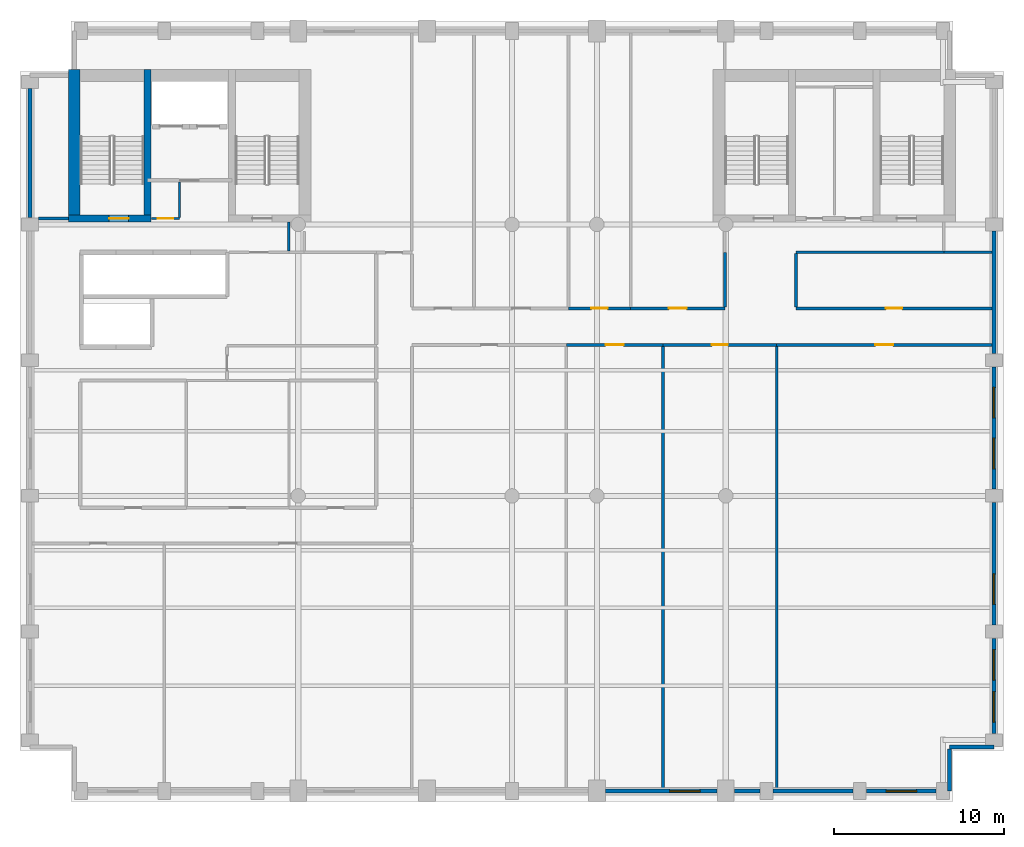
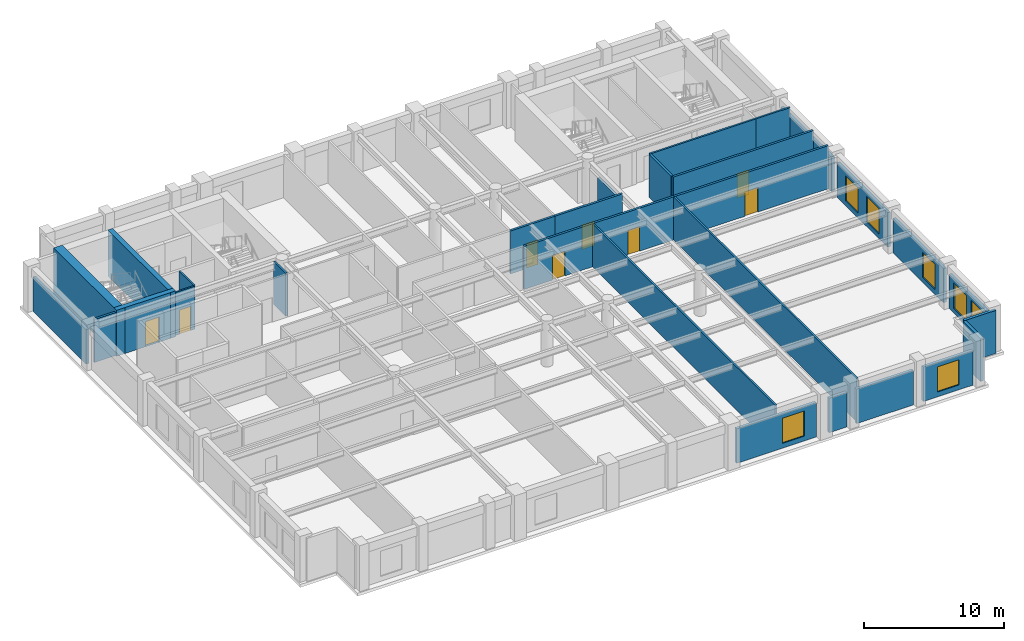
# One storey, part 4 of 8: 30 walls, 8 doors, 7 windows, 15 openings.
"""IFC4 building model written with IfcOpenShell, lengths in metres."""

from ifc_helpers import new_model, si_unit, direction, frame, frame_2d, origin, place, context, subcontext, project, spatial, rectangle, extrude, material, layer, layer_set, type_object, element, fill, save


model = new_model("IFC4")

# Units and contexts
model_context = context("Model", 3, precision=1e-05, world=origin(), true_north=direction((0.0, 1.0)))
body_context = subcontext(model_context, "Body", "Model", "MODEL_VIEW")
ifc_project = project(units=[si_unit("LENGTHUNIT", "METRE"), si_unit("AREAUNIT", "SQUARE_METRE"), si_unit("VOLUMEUNIT", "CUBIC_METRE"), si_unit("PLANEANGLEUNIT", "RADIAN"), si_unit("MASSUNIT", "GRAM", prefix="KILO")], contexts=[model_context])

# Site, building, storey
site_placement = place(None, origin())
site = spatial("IfcSite", under=ifc_project, at=site_placement, CompositionType="ELEMENT")
building_placement = place(site_placement, origin())
building = spatial("IfcBuilding", under=site, at=building_placement, Name="Sulina Concourse Tower", CompositionType="ELEMENT")
storey_placement = place(building_placement, frame((0.0, 0.0, 230.60009765625)))
storey = spatial("IfcBuildingStorey", under=building, at=storey_placement, Name="L56", CompositionType="ELEMENT", Elevation=230.60009765625)

# Wall, opening, window
ifc_material_1 = material(Name="Precast concrete C50/60", Category="concrete")
ifc_layer_1 = layer(ifc_material_1, 0.239990234375)
ifc_layer_set_1 = layer_set([ifc_layer_1], Name="Precast concrete C50/60")
wall_type_1 = type_object("IfcWallType", Name="Crown Precast Masonry-Frame Facade Wall 240mm", PredefinedType="SOLIDWALL", material=ifc_layer_set_1)
wall_1_placement = place(storey_placement, frame((41.080078125, 0.60009765625, 0.0), z_axis=(0.0, 0.0, 1.0), x_axis=(-1.0, 0.0, 0.0)))
wall_1 = element("IfcWall", 1, at=wall_1_placement, inside=storey, type_object=wall_type_1, Name="L56 exterior precast wall S7", PredefinedType="SOLIDWALL", context=body_context, shape_type="SweptSolid", body=[
    extrude(rectangle(XDim=6.56005859375, YDim=0.239990234375, at=frame_2d((3.280029296875, 0.0))), origin(), (0.0, 0.0, 1.0), 3.0),
])
opening_1_placement = place(wall_1_placement, frame((0.98681640625, 0.0, 0.419921875)))
opening_1 = element("IfcOpeningElement", 2, at=opening_1_placement, cuts=wall_1, Name="Opening WN-25", PredefinedType="OPENING", context=body_context, shape_type="SweptSolid", body=[
    extrude(rectangle(XDim=1.800048828125, YDim=2.199951171875, at=frame_2d((0.89990234375, 1.10009765625))), frame((0.0, 0.1298828125, 0.0), z_axis=(0.0, -1.0, 0.0), x_axis=(1.0, 0.0, 0.0)), (0.0, 0.0, 1.0), 0.260009765625),
])
ifc_material_2 = material(Name="Low-E solar double glazing in bronze aluminium", Category="aluminium")
window_type = type_object("IfcWindowType", Name="Punched Masonry-Frame Window 1800x2200", PartitioningType="SINGLE_PANEL", PredefinedType="WINDOW", material=ifc_material_2)
window_1_placement = place(opening_1_placement, origin())
window_1 = element("IfcWindow", 3, at=window_1_placement, inside=storey, type_object=window_type, Name="L56 punched window S7-1", OverallHeight=2.199951171875, OverallWidth=1.800048828125, PartitioningType="SINGLE_PANEL", PredefinedType="WINDOW", context=body_context, shape_type="SweptSolid", body=[
    extrude(rectangle(XDim=1.800048828125, YDim=2.199951171875, at=frame_2d((0.89990234375, 1.10009765625))), frame((0.0, 0.030029296875, 0.0), z_axis=(0.0, -1.0, 0.0), x_axis=(1.0, 0.0, 0.0)), (0.0, 0.0, 1.0), 0.06005859375),
])
fill(opening_1, window_1)

# Walls
wall_2_placement = place(storey_placement, frame((43.60498046875, 0.60009765625, 0.0), z_axis=(0.0, 0.0, 1.0), x_axis=(-1.0, 0.0, 0.0)))
element("IfcWall", 4, at=wall_2_placement, inside=storey, type_object=wall_type_1, Name="L56 exterior precast wall S8", PredefinedType="SOLIDWALL", context=body_context, shape_type="SweptSolid", body=[
    extrude(rectangle(XDim=1.48486328125, YDim=0.239990234375, at=frame_2d((0.742431640625, 0.0))), origin(), (0.0, 0.0, 1.0), 3.0),
])
wall_3_placement = place(storey_placement, frame((49.10498046875, 0.60009765625, 0.0), z_axis=(0.0, 0.0, 1.0), x_axis=(-1.0, 0.0, 0.0)))
element("IfcWall", 5, at=wall_3_placement, inside=storey, type_object=wall_type_1, Name="L56 exterior precast wall S9", PredefinedType="SOLIDWALL", context=body_context, shape_type="SweptSolid", body=[
    extrude(rectangle(XDim=4.7099609375, YDim=0.239990234375, at=frame_2d((2.35498046875, 0.0))), origin(), (0.0, 0.0, 1.0), 3.0),
])

# Wall, opening, window
wall_4_placement = place(storey_placement, frame((54.0048828125, 0.60009765625, 0.0), z_axis=(0.0, 0.0, 1.0), x_axis=(-1.0, 0.0, 0.0)))
wall_4 = element("IfcWall", 6, at=wall_4_placement, inside=storey, type_object=wall_type_1, Name="L56 exterior precast wall S10", PredefinedType="SOLIDWALL", context=body_context, shape_type="SweptSolid", body=[
    extrude(rectangle(XDim=4.10986328125, YDim=0.239990234375, at=frame_2d((2.054931640625, 0.0))), origin(), (0.0, 0.0, 1.0), 3.0),
])
opening_2_placement = place(wall_4_placement, frame((1.155029296875, 0.0, 0.419921875)))
opening_2 = element("IfcOpeningElement", 7, at=opening_2_placement, cuts=wall_4, Name="Opening WN-25", PredefinedType="OPENING", context=body_context, shape_type="SweptSolid", body=[
    extrude(rectangle(XDim=1.800048828125, YDim=2.199951171875, at=frame_2d((0.89990234375, 1.10009765625))), frame((0.0, 0.1298828125, 0.0), z_axis=(0.0, -1.0, 0.0), x_axis=(1.0, 0.0, 0.0)), (0.0, 0.0, 1.0), 0.260009765625),
])
window_2_placement = place(opening_2_placement, origin())
window_2 = element("IfcWindow", 8, at=window_2_placement, inside=storey, type_object=window_type, Name="L56 punched window S10-1", OverallHeight=2.199951171875, OverallWidth=1.800048828125, PartitioningType="SINGLE_PANEL", PredefinedType="WINDOW", context=body_context, shape_type="SweptSolid", body=[
    extrude(rectangle(XDim=1.800048828125, YDim=2.199951171875, at=frame_2d((0.89990234375, 1.10009765625))), frame((0.0, 0.030029296875, 0.0), z_axis=(0.0, -1.0, 0.0), x_axis=(1.0, 0.0, 0.0)), (0.0, 0.0, 1.0), 0.06005859375),
])
fill(opening_2, window_2)

# Wall
wall_5_placement = place(storey_placement, frame((0.60009765625, 34.39501953125, 0.0), z_axis=(0.0, 0.0, 1.0), x_axis=(0.0, 1.0, 0.0)))
element("IfcWall", 9, at=wall_5_placement, inside=storey, type_object=wall_type_1, Name="L56 exterior precast wall W5", PredefinedType="SOLIDWALL", context=body_context, shape_type="SweptSolid", body=[
    extrude(rectangle(XDim=7.60986328125, YDim=0.239990234375, at=frame_2d((3.804931640625, 0.0))), origin(), (0.0, 0.0, 1.0), 3.0),
])

# Wall, openings, windows
wall_6_placement = place(storey_placement, frame((57.39990234375, 9.60498046875, 0.0), z_axis=(0.0, 0.0, 1.0), x_axis=(0.0, -1.0, 0.0)))
wall_6 = element("IfcWall", 10, at=wall_6_placement, inside=storey, type_object=wall_type_1, Name="L56 exterior precast wall E1", PredefinedType="SOLIDWALL", context=body_context, shape_type="SweptSolid", body=[
    extrude(rectangle(XDim=5.60986328125, YDim=0.239990234375, at=frame_2d((2.804931640625, 0.0))), origin(), (0.0, 0.0, 1.0), 3.0),
])
opening_3_placement = place(wall_6_placement, frame((0.669921875, 0.0, 0.419921875)))
opening_3 = element("IfcOpeningElement", 11, at=opening_3_placement, cuts=wall_6, Name="Opening WN-25", PredefinedType="OPENING", context=body_context, shape_type="SweptSolid", body=[
    extrude(rectangle(XDim=1.800048828125, YDim=2.199951171875, at=frame_2d((0.89990234375, 1.10009765625))), frame((0.0, 0.1298828125, 0.0), z_axis=(0.0, -1.0, 0.0), x_axis=(1.0, 0.0, 0.0)), (0.0, 0.0, 1.0), 0.260009765625),
])
opening_4_placement = place(wall_6_placement, frame((3.139892578125, 0.0, 0.419921875)))
opening_4 = element("IfcOpeningElement", 12, at=opening_4_placement, cuts=wall_6, Name="Opening WN-25", PredefinedType="OPENING", context=body_context, shape_type="SweptSolid", body=[
    extrude(rectangle(XDim=1.800048828125, YDim=2.199951171875, at=frame_2d((0.89990234375, 1.10009765625))), frame((0.0, 0.1298828125, 0.0), z_axis=(0.0, -1.0, 0.0), x_axis=(1.0, 0.0, 0.0)), (0.0, 0.0, 1.0), 0.260009765625),
])
window_3_placement = place(opening_3_placement, origin())
window_3 = element("IfcWindow", 13, at=window_3_placement, inside=storey, type_object=window_type, Name="L56 punched window E1-1", OverallHeight=2.199951171875, OverallWidth=1.800048828125, PartitioningType="SINGLE_PANEL", PredefinedType="WINDOW", context=body_context, shape_type="SweptSolid", body=[
    extrude(rectangle(XDim=1.800048828125, YDim=2.199951171875, at=frame_2d((0.89990234375, 1.10009765625))), frame((0.0, 0.030029296875, 0.0), z_axis=(0.0, -1.0, 0.0), x_axis=(1.0, 0.0, 0.0)), (0.0, 0.0, 1.0), 0.06005859375),
])
fill(opening_3, window_3)
window_4_placement = place(opening_4_placement, origin())
window_4 = element("IfcWindow", 14, at=window_4_placement, inside=storey, type_object=window_type, Name="L56 punched window E1-2", OverallHeight=2.199951171875, OverallWidth=1.800048828125, PartitioningType="SINGLE_PANEL", PredefinedType="WINDOW", context=body_context, shape_type="SweptSolid", body=[
    extrude(rectangle(XDim=1.800048828125, YDim=2.199951171875, at=frame_2d((0.89990234375, 1.10009765625))), frame((0.0, 0.030029296875, 0.0), z_axis=(0.0, -1.0, 0.0), x_axis=(1.0, 0.0, 0.0)), (0.0, 0.0, 1.0), 0.06005859375),
])
fill(opening_4, window_4)

# Wall, opening, window
wall_7_placement = place(storey_placement, frame((57.39990234375, 17.60498046875, 0.0), z_axis=(0.0, 0.0, 1.0), x_axis=(0.0, -1.0, 0.0)))
wall_7 = element("IfcWall", 15, at=wall_7_placement, inside=storey, type_object=wall_type_1, Name="L56 exterior precast wall E2", PredefinedType="SOLIDWALL", context=body_context, shape_type="SweptSolid", body=[
    extrude(rectangle(XDim=7.2099609375, YDim=0.239990234375, at=frame_2d((3.60498046875, 0.0))), origin(), (0.0, 0.0, 1.0), 3.0),
])
opening_5_placement = place(wall_7_placement, frame((4.206787109375, 0.0, 0.419921875)))
opening_5 = element("IfcOpeningElement", 16, at=opening_5_placement, cuts=wall_7, Name="Opening WN-25", PredefinedType="OPENING", context=body_context, shape_type="SweptSolid", body=[
    extrude(rectangle(XDim=1.800048828125, YDim=2.199951171875, at=frame_2d((0.89990234375, 1.10009765625))), frame((0.0, 0.1298828125, 0.0), z_axis=(0.0, -1.0, 0.0), x_axis=(1.0, 0.0, 0.0)), (0.0, 0.0, 1.0), 0.260009765625),
])
window_5_placement = place(opening_5_placement, origin())
window_5 = element("IfcWindow", 17, at=window_5_placement, inside=storey, type_object=window_type, Name="L56 punched window E2-1", OverallHeight=2.199951171875, OverallWidth=1.800048828125, PartitioningType="SINGLE_PANEL", PredefinedType="WINDOW", context=body_context, shape_type="SweptSolid", body=[
    extrude(rectangle(XDim=1.800048828125, YDim=2.199951171875, at=frame_2d((0.89990234375, 1.10009765625))), frame((0.0, 0.030029296875, 0.0), z_axis=(0.0, -1.0, 0.0), x_axis=(1.0, 0.0, 0.0)), (0.0, 0.0, 1.0), 0.06005859375),
])
fill(opening_5, window_5)

# Wall, openings, windows
wall_8_placement = place(storey_placement, frame((57.39990234375, 25.60498046875, 0.0), z_axis=(0.0, 0.0, 1.0), x_axis=(0.0, -1.0, 0.0)))
wall_8 = element("IfcWall", 18, at=wall_8_placement, inside=storey, type_object=wall_type_1, Name="L56 exterior precast wall E3", PredefinedType="SOLIDWALL", context=body_context, shape_type="SweptSolid", body=[
    extrude(rectangle(XDim=7.2099609375, YDim=0.239990234375, at=frame_2d((3.60498046875, 0.0))), origin(), (0.0, 0.0, 1.0), 3.0),
])
opening_6_placement = place(wall_8_placement, frame((1.203369140625, 0.0, 0.419921875)))
opening_6 = element("IfcOpeningElement", 19, at=opening_6_placement, cuts=wall_8, Name="Opening WN-25", PredefinedType="OPENING", context=body_context, shape_type="SweptSolid", body=[
    extrude(rectangle(XDim=1.800048828125, YDim=2.199951171875, at=frame_2d((0.89990234375, 1.10009765625))), frame((0.0, 0.1298828125, 0.0), z_axis=(0.0, -1.0, 0.0), x_axis=(1.0, 0.0, 0.0)), (0.0, 0.0, 1.0), 0.260009765625),
])
opening_7_placement = place(wall_8_placement, frame((4.206787109375, 0.0, 0.419921875)))
opening_7 = element("IfcOpeningElement", 20, at=opening_7_placement, cuts=wall_8, Name="Opening WN-25", PredefinedType="OPENING", context=body_context, shape_type="SweptSolid", body=[
    extrude(rectangle(XDim=1.800048828125, YDim=2.199951171875, at=frame_2d((0.89990234375, 1.10009765625))), frame((0.0, 0.1298828125, 0.0), z_axis=(0.0, -1.0, 0.0), x_axis=(1.0, 0.0, 0.0)), (0.0, 0.0, 1.0), 0.260009765625),
])
window_6_placement = place(opening_6_placement, origin())
window_6 = element("IfcWindow", 21, at=window_6_placement, inside=storey, type_object=window_type, Name="L56 punched window E3-1", OverallHeight=2.199951171875, OverallWidth=1.800048828125, PartitioningType="SINGLE_PANEL", PredefinedType="WINDOW", context=body_context, shape_type="SweptSolid", body=[
    extrude(rectangle(XDim=1.800048828125, YDim=2.199951171875, at=frame_2d((0.89990234375, 1.10009765625))), frame((0.0, 0.030029296875, 0.0), z_axis=(0.0, -1.0, 0.0), x_axis=(1.0, 0.0, 0.0)), (0.0, 0.0, 1.0), 0.06005859375),
])
fill(opening_6, window_6)
window_7_placement = place(opening_7_placement, origin())
window_7 = element("IfcWindow", 22, at=window_7_placement, inside=storey, type_object=window_type, Name="L56 punched window E3-2", OverallHeight=2.199951171875, OverallWidth=1.800048828125, PartitioningType="SINGLE_PANEL", PredefinedType="WINDOW", context=body_context, shape_type="SweptSolid", body=[
    extrude(rectangle(XDim=1.800048828125, YDim=2.199951171875, at=frame_2d((0.89990234375, 1.10009765625))), frame((0.0, 0.030029296875, 0.0), z_axis=(0.0, -1.0, 0.0), x_axis=(1.0, 0.0, 0.0)), (0.0, 0.0, 1.0), 0.06005859375),
])
fill(opening_7, window_7)

# Walls
wall_9_placement = place(storey_placement, frame((57.39990234375, 33.60498046875, 0.0), z_axis=(0.0, 0.0, 1.0), x_axis=(0.0, -1.0, 0.0)))
element("IfcWall", 23, at=wall_9_placement, inside=storey, type_object=wall_type_1, Name="L56 exterior precast wall E4", PredefinedType="SOLIDWALL", context=body_context, shape_type="SweptSolid", body=[
    extrude(rectangle(XDim=7.2099609375, YDim=0.239990234375, at=frame_2d((3.60498046875, 0.0))), origin(), (0.0, 0.0, 1.0), 3.0),
])
wall_10_placement = place(storey_placement, frame((57.39990234375, 3.205078125, 0.0), z_axis=(0.0, 0.0, 1.0), x_axis=(-1.0, 0.0, 0.0)))
element("IfcWall", 24, at=wall_10_placement, inside=storey, type_object=wall_type_1, Name="L56 exterior precast wall CSE1", PredefinedType="SOLIDWALL", context=body_context, shape_type="SweptSolid", body=[
    extrude(rectangle(XDim=2.60498046875, YDim=0.239990234375, at=frame_2d((1.302490234375, 0.0))), origin(), (0.0, 0.0, 1.0), 3.75),
])
wall_11_placement = place(storey_placement, frame((54.794921875, 3.080078125, 0.0), z_axis=(0.0, 0.0, 1.0), x_axis=(0.0, -1.0, 0.0)))
element("IfcWall", 25, at=wall_11_placement, inside=storey, type_object=wall_type_1, Name="L56 exterior precast wall CSE2", PredefinedType="SOLIDWALL", context=body_context, shape_type="SweptSolid", body=[
    extrude(rectangle(XDim=2.47998046875, YDim=0.239990234375, at=frame_2d((1.239990234375, 0.0))), origin(), (0.0, 0.0, 1.0), 3.75),
])
ifc_material_3 = material(Name="Gypsum board on steel stud", Category="steel")
ifc_layer_2 = layer(ifc_material_3, 0.14990234375)
ifc_layer_set_2 = layer_set([ifc_layer_2], Name="Gypsum board on steel stud")
wall_type_2 = type_object("IfcWallType", Name="Inter-Tenancy Acoustic Partition 150mm", PredefinedType="PARTITIONING", material=ifc_layer_set_2)
wall_12_placement = place(storey_placement, frame((45.75, 32.35009765625, 0.0), z_axis=(0.0, 0.0, 1.0), x_axis=(1.0, 0.0, 0.0)))
element("IfcWall", 26, at=wall_12_placement, inside=storey, type_object=wall_type_2, Name="L56 interior partition 024", PredefinedType="PARTITIONING", context=body_context, shape_type="SweptSolid", body=[
    extrude(rectangle(XDim=8.699951171875, YDim=0.14990234375, at=frame_2d((4.35009765625, 0.0))), origin(), (0.0, 0.0, 1.0), 3.75),
])
wall_13_placement = place(storey_placement, frame((54.449951171875, 32.35009765625, 0.0), z_axis=(0.0, 0.0, 1.0), x_axis=(1.0, 0.0, 0.0)))
element("IfcWall", 27, at=wall_13_placement, inside=storey, type_object=wall_type_2, Name="L56 interior partition 025", PredefinedType="PARTITIONING", context=body_context, shape_type="SweptSolid", body=[
    extrude(rectangle(XDim=2.830078125, YDim=0.14990234375, at=frame_2d((1.4150390625, 0.0))), origin(), (0.0, 0.0, 1.0), 3.75),
])
wall_14_placement = place(storey_placement, frame((15.85009765625, 32.425048828125, 0.0), z_axis=(0.0, 0.0, 1.0), x_axis=(0.0, 1.0, 0.0)))
element("IfcWall", 28, at=wall_14_placement, inside=storey, type_object=wall_type_2, Name="L56 interior partition 036", PredefinedType="PARTITIONING", context=body_context, shape_type="SweptSolid", body=[
    extrude(rectangle(XDim=1.724853515625, YDim=0.14990234375, at=frame_2d((0.8623046875, 0.0))), origin(), (0.0, 0.0, 1.0), 3.75),
])
for number, where, z_axis, x_axis, name in (
    (29, (37.89990234375, 0.719970703125, 0.0), (0.0, 0.0, 1.0), (0.0, 1.0, 0.0), "L56 interior partition 050"),
    (30, (44.60009765625, 0.719970703125, 0.0), (0.0, 0.0, 1.0), (0.0, 1.0, 0.0), "L56 interior partition 054"),
):
    element("IfcWall", number, at=place(storey_placement, frame(where, z_axis=z_axis, x_axis=x_axis)), inside=storey, type_object=wall_type_2, Name=name, PredefinedType="PARTITIONING", context=body_context, shape_type="SweptSolid", body=[
        extrude(rectangle(XDim=26.090087890625, YDim=0.14990234375, at=frame_2d((13.044921875, 0.0))), origin(), (0.0, 0.0, 1.0), 3.75),
    ])

# Wall, opening, door
ifc_material_4 = material(Name="Gypsum board on steel stud", Category="steel")
ifc_layer_3 = layer(ifc_material_4, 0.179931640625)
ifc_layer_set_3 = layer_set([ifc_layer_3], Name="Gypsum board on steel stud")
wall_type_3 = type_object("IfcWallType", Name="Protected Corridor & Riser Partition 180mm", PredefinedType="PARTITIONING", material=ifc_layer_set_3)
wall_15_placement = place(storey_placement, frame((32.199951171875, 26.89990234375, 0.0), z_axis=(0.0, 0.0, 1.0), x_axis=(1.0, 0.0, 0.0)))
wall_15 = element("IfcWall", 31, at=wall_15_placement, inside=storey, type_object=wall_type_3, Name="L56 interior partition 012", PredefinedType="PARTITIONING", context=body_context, shape_type="SweptSolid", body=[
    extrude(rectangle(XDim=5.699951171875, YDim=0.179931640625, at=frame_2d((2.85009765625, 0.0))), origin(), (0.0, 0.0, 1.0), 3.75),
])
opening_8_placement = place(wall_15_placement, frame((2.324951171875, 0.0, 0.0)))
opening_8 = element("IfcOpeningElement", 32, at=opening_8_placement, cuts=wall_15, Name="Opening DR-37", PredefinedType="OPENING", context=body_context, shape_type="SweptSolid", body=[
    extrude(rectangle(XDim=1.050048828125, YDim=2.14990234375, at=frame_2d((0.52490234375, 1.074951171875))), frame((0.0, 0.099853515625, 0.0), z_axis=(0.0, -1.0, 0.0), x_axis=(1.0, 0.0, 0.0)), (0.0, 0.0, 1.0), 0.199951171875),
])
ifc_material_5 = material(Name="Oak-veneered fire door leaf")
ifc_layer_4 = layer(ifc_material_5, 0.050048828125)
ifc_layer_set_4 = layer_set([ifc_layer_4], Name="Oak-veneered fire door leaf")
door_type_1 = type_object("IfcDoorType", Name="Tenant Suite Entrance Fire Door 1050x2150", OperationType="NOTDEFINED", PredefinedType="DOOR", material=ifc_layer_set_4)
door_1_placement = place(opening_8_placement, origin())
door_1 = element("IfcDoor", 33, at=door_1_placement, inside=storey, type_object=door_type_1, Name="L56 interior door L56-S04A", OperationType="SINGLE_SWING_LEFT", OverallHeight=2.14990234375, OverallWidth=1.050048828125, PredefinedType="DOOR", context=body_context, shape_type="SweptSolid", body=[
    extrude(rectangle(XDim=1.050048828125, YDim=2.14990234375, at=frame_2d((0.52490234375, 1.074951171875))), frame((0.0, 0.02490234375, 0.0), z_axis=(0.0, -1.0, 0.0), x_axis=(1.0, 0.0, 0.0)), (0.0, 0.0, 1.0), 0.050048828125),
])
fill(opening_8, door_1)

wall_16_placement = place(storey_placement, frame((37.89990234375, 26.89990234375, 0.0), z_axis=(0.0, 0.0, 1.0), x_axis=(1.0, 0.0, 0.0)))
wall_16 = element("IfcWall", 34, at=wall_16_placement, inside=storey, type_object=wall_type_3, Name="L56 interior partition 013", PredefinedType="PARTITIONING", context=body_context, shape_type="SweptSolid", body=[
    extrude(rectangle(XDim=6.7001953125, YDim=0.179931640625, at=frame_2d((3.35009765625, 0.0))), origin(), (0.0, 0.0, 1.0), 3.75),
])
opening_9_placement = place(wall_16_placement, frame((2.875, 0.0, 0.0)))
opening_9 = element("IfcOpeningElement", 35, at=opening_9_placement, cuts=wall_16, Name="Opening DR-19", PredefinedType="OPENING", context=body_context, shape_type="SweptSolid", body=[
    extrude(rectangle(XDim=0.949951171875, YDim=2.14990234375, at=frame_2d((0.47509765625, 1.074951171875))), frame((0.0, 0.099853515625, 0.0), z_axis=(0.0, -1.0, 0.0), x_axis=(1.0, 0.0, 0.0)), (0.0, 0.0, 1.0), 0.199951171875),
])
ifc_material_6 = material(Name="Oak-veneered acoustic timber leaf", Category="wood")
ifc_layer_5 = layer(ifc_material_6, 0.050048828125)
ifc_layer_set_5 = layer_set([ifc_layer_5], Name="Oak-veneered acoustic timber leaf")
door_type_2 = type_object("IfcDoorType", Name="Cellular Office & Meeting Door 950x2150", OperationType="NOTDEFINED", PredefinedType="DOOR", material=ifc_layer_set_5)
door_2_placement = place(opening_9_placement, origin())
door_2 = element("IfcDoor", 36, at=door_2_placement, inside=storey, type_object=door_type_2, Name="L56 interior door L56-S04B", OperationType="SINGLE_SWING_RIGHT", OverallHeight=2.14990234375, OverallWidth=0.949951171875, PredefinedType="DOOR", context=body_context, shape_type="SweptSolid", body=[
    extrude(rectangle(XDim=0.949951171875, YDim=2.14990234375, at=frame_2d((0.47509765625, 1.074951171875))), frame((0.0, 0.02490234375, 0.0), z_axis=(0.0, -1.0, 0.0), x_axis=(1.0, 0.0, 0.0)), (0.0, 0.0, 1.0), 0.050048828125),
])
fill(opening_9, door_2)

wall_17_placement = place(storey_placement, frame((44.60009765625, 26.89990234375, 0.0), z_axis=(0.0, 0.0, 1.0), x_axis=(1.0, 0.0, 0.0)))
wall_17 = element("IfcWall", 37, at=wall_17_placement, inside=storey, type_object=wall_type_3, Name="L56 interior partition 014", PredefinedType="PARTITIONING", context=body_context, shape_type="SweptSolid", body=[
    extrude(rectangle(XDim=12.679931640625, YDim=0.179931640625, at=frame_2d((6.33984375, 0.0))), origin(), (0.0, 0.0, 1.0), 3.75),
])
opening_10_placement = place(wall_17_placement, frame((5.81494140625, 0.0, 0.0)))
opening_10 = element("IfcOpeningElement", 38, at=opening_10_placement, cuts=wall_17, Name="Opening DR-37", PredefinedType="OPENING", context=body_context, shape_type="SweptSolid", body=[
    extrude(rectangle(XDim=1.050048828125, YDim=2.14990234375, at=frame_2d((0.52490234375, 1.074951171875))), frame((0.0, 0.099853515625, 0.0), z_axis=(0.0, -1.0, 0.0), x_axis=(1.0, 0.0, 0.0)), (0.0, 0.0, 1.0), 0.199951171875),
])
door_3_placement = place(opening_10_placement, origin())
door_3 = element("IfcDoor", 39, at=door_3_placement, inside=storey, type_object=door_type_1, Name="L56 interior door L56-S05", OperationType="SINGLE_SWING_LEFT", OverallHeight=2.14990234375, OverallWidth=1.050048828125, PredefinedType="DOOR", context=body_context, shape_type="SweptSolid", body=[
    extrude(rectangle(XDim=1.050048828125, YDim=2.14990234375, at=frame_2d((0.52490234375, 1.074951171875))), frame((0.0, 0.02490234375, 0.0), z_axis=(0.0, -1.0, 0.0), x_axis=(1.0, 0.0, 0.0)), (0.0, 0.0, 1.0), 0.050048828125),
])
fill(opening_10, door_3)

wall_18_placement = place(storey_placement, frame((32.330078125, 29.050048828125, 0.0), z_axis=(0.0, 0.0, 1.0), x_axis=(1.0, 0.0, 0.0)))
wall_18 = element("IfcWall", 40, at=wall_18_placement, inside=storey, type_object=wall_type_3, Name="L56 interior partition 017", PredefinedType="PARTITIONING", context=body_context, shape_type="SweptSolid", body=[
    extrude(rectangle(XDim=3.659912109375, YDim=0.179931640625, at=frame_2d((1.830078125, 0.0))), origin(), (0.0, 0.0, 1.0), 3.75),
])
opening_11_placement = place(wall_18_placement, frame((1.35498046875, 0.0, 0.0)))
opening_11 = element("IfcOpeningElement", 41, at=opening_11_placement, cuts=wall_18, Name="Opening DR-19", PredefinedType="OPENING", context=body_context, shape_type="SweptSolid", body=[
    extrude(rectangle(XDim=0.949951171875, YDim=2.14990234375, at=frame_2d((0.47509765625, 1.074951171875))), frame((0.0, 0.099853515625, 0.0), z_axis=(0.0, -1.0, 0.0), x_axis=(1.0, 0.0, 0.0)), (0.0, 0.0, 1.0), 0.199951171875),
])
door_4_placement = place(opening_11_placement, origin())
door_4 = element("IfcDoor", 42, at=door_4_placement, inside=storey, type_object=door_type_2, Name="L56 interior door L56-NC3", OperationType="SINGLE_SWING_RIGHT", OverallHeight=2.14990234375, OverallWidth=0.949951171875, PredefinedType="DOOR", context=body_context, shape_type="SweptSolid", body=[
    extrude(rectangle(XDim=0.949951171875, YDim=2.14990234375, at=frame_2d((0.47509765625, 1.074951171875))), frame((0.0, 0.02490234375, 0.0), z_axis=(0.0, -1.0, 0.0), x_axis=(1.0, 0.0, 0.0)), (0.0, 0.0, 1.0), 0.050048828125),
])
fill(opening_11, door_4)

wall_19_placement = place(storey_placement, frame((35.989990234375, 29.050048828125, 0.0), z_axis=(0.0, 0.0, 1.0), x_axis=(1.0, 0.0, 0.0)))
wall_19 = element("IfcWall", 43, at=wall_19_placement, inside=storey, type_object=wall_type_3, Name="L56 interior partition 018", PredefinedType="PARTITIONING", context=body_context, shape_type="SweptSolid", body=[
    extrude(rectangle(XDim=5.56005859375, YDim=0.179931640625, at=frame_2d((2.780029296875, 0.0))), origin(), (0.0, 0.0, 1.0), 3.75),
])
opening_12_placement = place(wall_19_placement, frame((2.2548828125, 0.0, 0.0)))
opening_12 = element("IfcOpeningElement", 44, at=opening_12_placement, cuts=wall_19, Name="Opening DR-37", PredefinedType="OPENING", context=body_context, shape_type="SweptSolid", body=[
    extrude(rectangle(XDim=1.050048828125, YDim=2.14990234375, at=frame_2d((0.52490234375, 1.074951171875))), frame((0.0, 0.099853515625, 0.0), z_axis=(0.0, -1.0, 0.0), x_axis=(1.0, 0.0, 0.0)), (0.0, 0.0, 1.0), 0.199951171875),
])
door_5_placement = place(opening_12_placement, origin())
door_5 = element("IfcDoor", 45, at=door_5_placement, inside=storey, type_object=door_type_1, Name="L56 interior door L56-NC4", OperationType="SINGLE_SWING_LEFT", OverallHeight=2.14990234375, OverallWidth=1.050048828125, PredefinedType="DOOR", context=body_context, shape_type="SweptSolid", body=[
    extrude(rectangle(XDim=1.050048828125, YDim=2.14990234375, at=frame_2d((0.52490234375, 1.074951171875))), frame((0.0, 0.02490234375, 0.0), z_axis=(0.0, -1.0, 0.0), x_axis=(1.0, 0.0, 0.0)), (0.0, 0.0, 1.0), 0.050048828125),
])
fill(opening_12, door_5)

wall_20_placement = place(storey_placement, frame((45.75, 29.050048828125, 0.0), z_axis=(0.0, 0.0, 1.0), x_axis=(1.0, 0.0, 0.0)))
wall_20 = element("IfcWall", 46, at=wall_20_placement, inside=storey, type_object=wall_type_3, Name="L56 interior partition 019", PredefinedType="PARTITIONING", context=body_context, shape_type="SweptSolid", body=[
    extrude(rectangle(XDim=11.530029296875, YDim=0.179931640625, at=frame_2d((5.76513671875, 0.0))), origin(), (0.0, 0.0, 1.0), 3.75),
])
opening_13_placement = place(wall_20_placement, frame((5.2900390625, 0.0, 0.0)))
opening_13 = element("IfcOpeningElement", 47, at=opening_13_placement, cuts=wall_20, Name="Opening DR-19", PredefinedType="OPENING", context=body_context, shape_type="SweptSolid", body=[
    extrude(rectangle(XDim=0.949951171875, YDim=2.14990234375, at=frame_2d((0.47509765625, 1.074951171875))), frame((0.0, 0.099853515625, 0.0), z_axis=(0.0, -1.0, 0.0), x_axis=(1.0, 0.0, 0.0)), (0.0, 0.0, 1.0), 0.199951171875),
])
door_6_placement = place(opening_13_placement, origin())
door_6 = element("IfcDoor", 48, at=door_6_placement, inside=storey, type_object=door_type_2, Name="L56 interior door L56-NE1", OperationType="SINGLE_SWING_RIGHT", OverallHeight=2.14990234375, OverallWidth=0.949951171875, PredefinedType="DOOR", context=body_context, shape_type="SweptSolid", body=[
    extrude(rectangle(XDim=0.949951171875, YDim=2.14990234375, at=frame_2d((0.47509765625, 1.074951171875))), frame((0.0, 0.02490234375, 0.0), z_axis=(0.0, -1.0, 0.0), x_axis=(1.0, 0.0, 0.0)), (0.0, 0.0, 1.0), 0.050048828125),
])
fill(opening_13, door_6)

# Walls
wall_21_placement = place(storey_placement, frame((1.10009765625, 34.35009765625, 0.0), z_axis=(0.0, 0.0, 1.0), x_axis=(1.0, 0.0, 0.0)))
element("IfcWall", 49, at=wall_21_placement, inside=storey, type_object=wall_type_3, Name="L56 interior partition 026", PredefinedType="PARTITIONING", context=body_context, shape_type="SweptSolid", body=[
    extrude(rectangle(XDim=1.75, YDim=0.179931640625, at=frame_2d((0.875, 0.0))), origin(), (0.0, 0.0, 1.0), 3.75),
])
wall_22_placement = place(storey_placement, frame((41.550048828125, 29.139892578125, 0.0), z_axis=(0.0, 0.0, 1.0), x_axis=(0.0, 1.0, 0.0)))
element("IfcWall", 50, at=wall_22_placement, inside=storey, type_object=wall_type_3, Name="L56 interior partition 051", PredefinedType="PARTITIONING", context=body_context, shape_type="SweptSolid", body=[
    extrude(rectangle(XDim=3.210205078125, YDim=0.179931640625, at=frame_2d((1.60498046875, 0.0))), origin(), (0.0, 0.0, 1.0), 3.14501953125),
])
wall_23_placement = place(storey_placement, frame((45.75, 29.139892578125, 0.0), z_axis=(0.0, 0.0, 1.0), x_axis=(0.0, 1.0, 0.0)))
element("IfcWall", 51, at=wall_23_placement, inside=storey, type_object=wall_type_3, Name="L56 interior partition 055", PredefinedType="PARTITIONING", context=body_context, shape_type="SweptSolid", body=[
    extrude(rectangle(XDim=3.135009765625, YDim=0.179931640625, at=frame_2d((1.5673828125, 0.0))), origin(), (0.0, 0.0, 1.0), 3.75),
])

# Wall, opening, door
ifc_material_7 = material(Name="Concrete C60/75", Category="concrete")
ifc_layer_6 = layer(ifc_material_7, 0.39990234375)
ifc_layer_set_6 = layer_set([ifc_layer_6], Name="Concrete C60/75")
wall_type_4 = type_object("IfcWallType", Name="Protected Stair Core Shear Wall 400mm", PredefinedType="SHEAR", material=ifc_layer_set_6)
wall_24_placement = place(storey_placement, frame((2.85009765625, 34.35009765625, 0.0), z_axis=(0.0, 0.0, 1.0), x_axis=(1.0, 0.0, 0.0)))
wall_24 = element("IfcWall", 52, at=wall_24_placement, inside=storey, type_object=wall_type_4, Name="L56 west core shear wall CW-WS1", PredefinedType="SHEAR", context=body_context, shape_type="SweptSolid", body=[
    extrude(rectangle(XDim=4.85986328125, YDim=0.39990234375, at=frame_2d((2.429931640625, 0.0))), origin(), (0.0, 0.0, 1.0), 4.0),
])
opening_14_placement = place(wall_24_placement, frame((2.39990234375, 0.0, 0.0)))
opening_14 = element("IfcOpeningElement", 53, at=opening_14_placement, cuts=wall_24, Name="Opening DR-60", PredefinedType="OPENING", context=body_context, shape_type="SweptSolid", body=[
    extrude(rectangle(XDim=1.14990234375, YDim=2.199951171875, at=frame_2d((0.574951171875, 1.10009765625))), frame((0.0, 0.2099609375, 0.0), z_axis=(0.0, -1.0, 0.0), x_axis=(1.0, 0.0, 0.0)), (0.0, 0.0, 1.0), 0.419921875),
])
ifc_material_8 = material(Name="Galvanised steel acoustic fire leaf", Category="steel")
ifc_layer_7 = layer(ifc_material_8, 0.054931640625)
ifc_layer_set_7 = layer_set([ifc_layer_7], Name="Galvanised steel acoustic fire leaf")
door_type_3 = type_object("IfcDoorType", Name="Protected Exit Stair Fire Door 1150x2200", OperationType="NOTDEFINED", PredefinedType="DOOR", material=ifc_layer_set_7)
door_7_placement = place(opening_14_placement, origin())
door_7 = element("IfcDoor", 54, at=door_7_placement, inside=storey, type_object=door_type_3, Name="L56 stair ST-1 lobby fire door", OperationType="SINGLE_SWING_LEFT", OverallHeight=2.199951171875, OverallWidth=1.14990234375, PredefinedType="DOOR", context=body_context, shape_type="SweptSolid", body=[
    extrude(rectangle(XDim=1.14990234375, YDim=2.199951171875, at=frame_2d((0.574951171875, 1.10009765625))), frame((0.0, 0.02490234375, 0.0), z_axis=(0.0, -1.0, 0.0), x_axis=(1.0, 0.0, 0.0)), (0.0, 0.0, 1.0), 0.050048828125),
])
fill(opening_14, door_7)

# Walls
wall_25_placement = place(storey_placement, frame((7.510009765625, 34.14990234375, 0.0), z_axis=(0.0, 0.0, 1.0), x_axis=(0.0, 1.0, 0.0)))
element("IfcWall", 55, at=wall_25_placement, inside=storey, type_object=wall_type_4, Name="L56 west core shear wall SW-ST1", PredefinedType="SHEAR", context=body_context, shape_type="SweptSolid", body=[
    extrude(rectangle(XDim=8.97998046875, YDim=0.39990234375, at=frame_2d((4.489990234375, 0.0))), origin(), (0.0, 0.0, 1.0), 4.0),
])
ifc_material_9 = material(Name="Concrete C60/75", Category="concrete")
ifc_layer_8 = layer(ifc_material_9, 0.699951171875)
ifc_layer_set_8 = layer_set([ifc_layer_8], Name="Concrete C60/75")
wall_type_5 = type_object("IfcWallType", Name="Rear Core Shear Wall 700mm", PredefinedType="SHEAR", material=ifc_layer_set_8)
wall_26_placement = place(storey_placement, frame((3.199951171875, 34.14990234375, 0.0), z_axis=(0.0, 0.0, 1.0), x_axis=(0.0, 1.0, 0.0)))
element("IfcWall", 56, at=wall_26_placement, inside=storey, type_object=wall_type_5, Name="L56 west core shear wall CW-WW", PredefinedType="SHEAR", context=body_context, shape_type="SweptSolid", body=[
    extrude(rectangle(XDim=8.97998046875, YDim=0.699951171875, at=frame_2d((4.489990234375, 0.0))), origin(), (0.0, 0.0, 1.0), 4.0),
])

# Wall, opening, door
ifc_material_10 = material(Name="Gypsum board on steel stud", Category="steel")
ifc_layer_9 = layer(ifc_material_10, 0.125)
ifc_layer_set_9 = layer_set([ifc_layer_9], Name="Gypsum board on steel stud")
wall_type_6 = type_object("IfcWallType", Name="Wet-Area Moisture-Resistant Partition 125mm", PredefinedType="PARTITIONING", material=ifc_layer_set_9)
wall_27_placement = place(storey_placement, frame((7.75, 34.35009765625, 0.0), z_axis=(0.0, 0.0, 1.0), x_axis=(1.0, 0.0, 0.0)))
wall_27 = element("IfcWall", 57, at=wall_27_placement, inside=storey, type_object=wall_type_6, Name="L56 interior partition 027", PredefinedType="PARTITIONING", context=body_context, shape_type="SweptSolid", body=[
    extrude(rectangle(XDim=1.64990234375, YDim=0.125, at=frame_2d((0.824951171875, 0.0))), origin(), (0.0, 0.0, 1.0), 3.75),
])
opening_15_placement = place(wall_27_placement, frame((0.364990234375, 0.0, 0.0)))
opening_15 = element("IfcOpeningElement", 58, at=opening_15_placement, cuts=wall_27, Name="Opening DR-61", PredefinedType="OPENING", context=body_context, shape_type="SweptSolid", body=[
    extrude(rectangle(XDim=0.919921875, YDim=2.10009765625, at=frame_2d((0.4599609375, 1.050048828125))), frame((0.0, 0.072509765625, 0.0), z_axis=(0.0, -1.0, 0.0), x_axis=(1.0, 0.0, 0.0)), (0.0, 0.0, 1.0), 0.14501953125),
])
ifc_material_11 = material(Name="Oak-veneered fire door leaf")
ifc_layer_10 = layer(ifc_material_11, 0.050048828125)
ifc_layer_set_10 = layer_set([ifc_layer_10], Name="Oak-veneered fire door leaf")
door_type_4 = type_object("IfcDoorType", Name="Accessible WC Door 920x2100", OperationType="NOTDEFINED", PredefinedType="DOOR", material=ifc_layer_set_10)
door_8_placement = place(opening_15_placement, origin())
door_8 = element("IfcDoor", 59, at=door_8_placement, inside=storey, type_object=door_type_4, Name="L56 interior door L56-WC-ACC", OperationType="SINGLE_SWING_LEFT", OverallHeight=2.10009765625, OverallWidth=0.919921875, PredefinedType="DOOR", context=body_context, shape_type="SweptSolid", body=[
    extrude(rectangle(XDim=0.919921875, YDim=2.10009765625, at=frame_2d((0.4599609375, 1.050048828125))), frame((0.0, 0.02490234375, 0.0), z_axis=(0.0, -1.0, 0.0), x_axis=(1.0, 0.0, 0.0)), (0.0, 0.0, 1.0), 0.050048828125),
])
fill(opening_15, door_8)

# Wall
wall_28_placement = place(storey_placement, frame((9.39990234375, 34.41259765625, 0.0), z_axis=(0.0, 0.0, 1.0), x_axis=(0.0, 1.0, 0.0)))
element("IfcWall", 60, at=wall_28_placement, inside=storey, type_object=wall_type_6, Name="L56 interior partition 032", PredefinedType="PARTITIONING", context=body_context, shape_type="SweptSolid", body=[
    extrude(rectangle(XDim=2.077392578125, YDim=0.125, at=frame_2d((1.03857421875, 0.0))), origin(), (0.0, 0.0, 1.0), 3.75),
])

save(model, "model.ifc")
